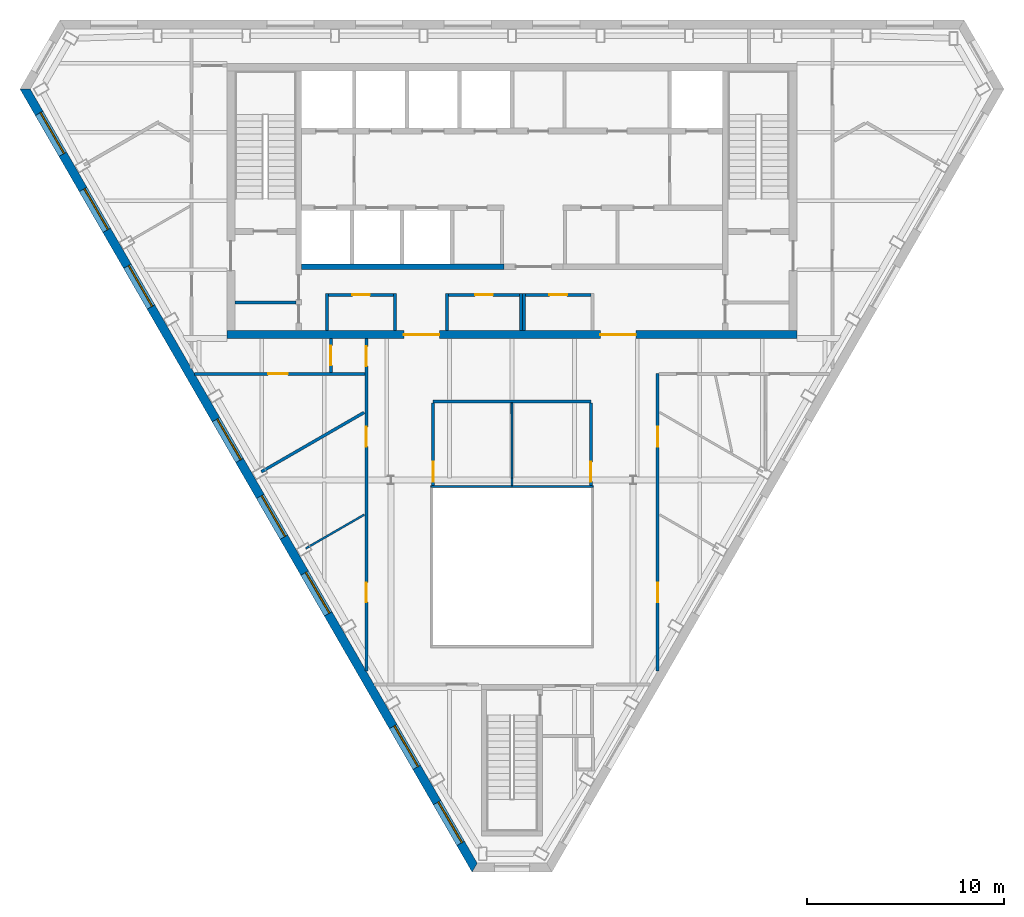
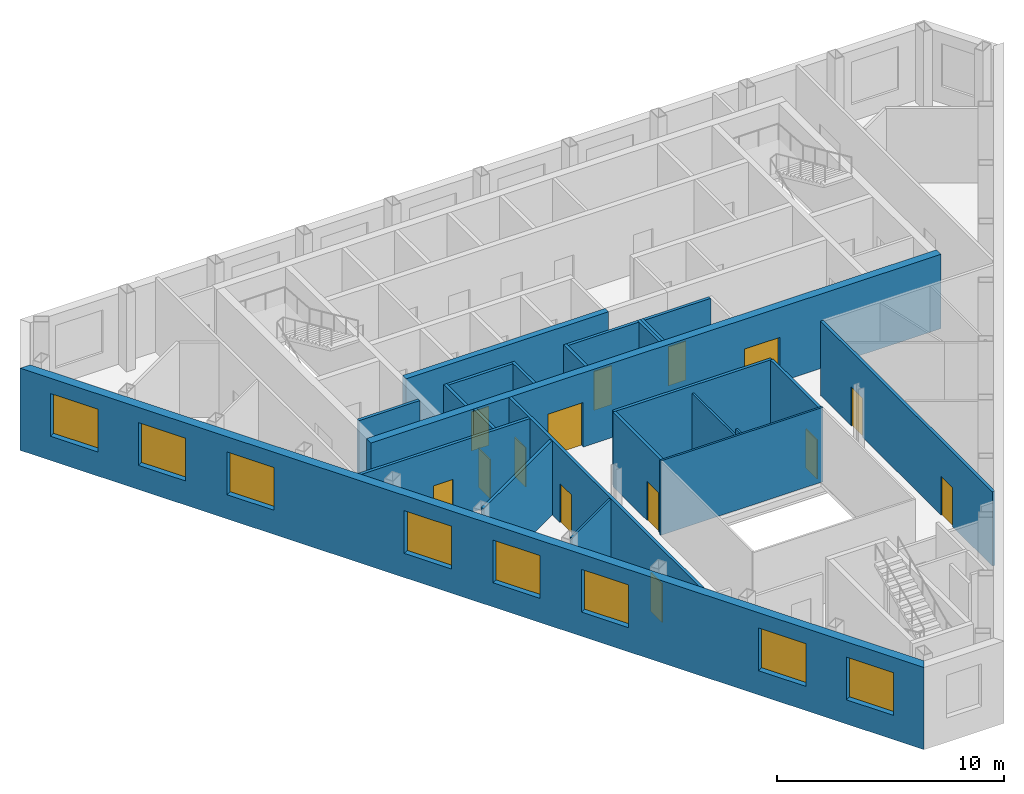
# One storey, part 4 of 10: 24 walls, 14 doors, 8 windows, 22 openings.
"""IFC4 building model written with IfcOpenShell, lengths in metres."""

from ifc_helpers import new_model, si_unit, direction, frame, frame_2d, origin, place, context, subcontext, project, spatial, polyline, rectangle, outline, extrude, material, layer, layer_set, type_object, element, fill, save


model = new_model("IFC4")

# Units and contexts
model_context = context("Model", 3, precision=1e-05, world=origin(), true_north=direction((0.0, 1.0)))
body_context = subcontext(model_context, "Body", "Model", "MODEL_VIEW")
ifc_project = project(units=[si_unit("LENGTHUNIT", "METRE"), si_unit("AREAUNIT", "SQUARE_METRE"), si_unit("VOLUMEUNIT", "CUBIC_METRE"), si_unit("PLANEANGLEUNIT", "RADIAN"), si_unit("MASSUNIT", "GRAM", prefix="KILO")], contexts=[model_context])

# Site, building, storey
site_placement = place(None, origin())
site = spatial("IfcSite", under=ifc_project, at=site_placement, CompositionType="ELEMENT")
building_placement = place(site_placement, origin())
building = spatial("IfcBuilding", under=site, at=building_placement, Name="Njiva Tower", CompositionType="ELEMENT")
storey_placement = place(building_placement, frame((0.0, 0.0, 333.6)))
storey = spatial("IfcBuildingStorey", under=building, at=storey_placement, Name="L76", CompositionType="ELEMENT", Elevation=333.6)

# Walls
ifc_material_1 = material(Name="Blockwork", Category="masonry")
ifc_layer_1 = layer(ifc_material_1, 0.15)
ifc_layer_set_1 = layer_set([ifc_layer_1], Name="Blockwork")
wall_type_1 = type_object("IfcWallType", Name="WT1 Compartment partition 150", PredefinedType="PARTITIONING", material=ifc_layer_set_1)
wall_1_placement = place(storey_placement, frame((-14.1, 5.825, 0.0), z_axis=(0.0, 0.0, 1.0), x_axis=(1.0, 0.0, 0.0)))
element("IfcWall", 1, at=wall_1_placement, inside=storey, type_object=wall_type_1, Name="Room wall A", PredefinedType="PARTITIONING", context=body_context, shape_type="SweptSolid", body=[
    extrude(rectangle(XDim=3.1, YDim=0.15, at=frame_2d((1.55, 0.0))), origin(), (0.0, 0.0, 1.0), 4.0),
])
for number, where, z_axis, x_axis, name in (
    (2, (-9.4, 4.4, 0.0), (0.0, 0.0, 1.0), (0.0, 1.0, 0.0), "Concierge office wall west"),
    (3, (-5.95, 4.4, 0.0), (0.0, 0.0, 1.0), (0.0, 1.0, 0.0), "Concierge office wall east"),
):
    element("IfcWall", number, at=place(storey_placement, frame(where, z_axis=z_axis, x_axis=x_axis)), inside=storey, type_object=wall_type_1, Name=name, PredefinedType="PARTITIONING", context=body_context, shape_type="SweptSolid", body=[
        extrude(rectangle(XDim=1.895, YDim=0.15, at=frame_2d((0.9475, 0.0))), origin(), (0.0, 0.0, 1.0), 4.0),
    ])

# Wall, opening, door
wall_2_placement = place(storey_placement, frame((-9.325, 6.22, 0.0), z_axis=(0.0, 0.0, 1.0), x_axis=(1.0, 0.0, 0.0)))
wall_2 = element("IfcWall", 4, at=wall_2_placement, inside=storey, type_object=wall_type_1, Name="Concierge office wall north", PredefinedType="PARTITIONING", context=body_context, shape_type="SweptSolid", body=[
    extrude(rectangle(XDim=3.3, YDim=0.15, at=frame_2d((1.65, 0.0))), origin(), (0.0, 0.0, 1.0), 4.0),
])
opening_1_placement = place(wall_2_placement, frame((1.2, 0.0, 0.0)))
opening_1 = element("IfcOpeningElement", 5, at=opening_1_placement, cuts=wall_2, Name="Opening S26-D924", PredefinedType="OPENING", context=body_context, shape_type="SweptSolid", body=[
    extrude(rectangle(XDim=0.9, YDim=2.1, at=frame_2d((0.45, 1.05))), frame((0.0, 0.085, 0.0), z_axis=(0.0, -1.0, 0.0), x_axis=(1.0, 0.0, 0.0)), (0.0, 0.0, 1.0), 0.17),
])
ifc_material_2 = material(Name="Steel fire door, painted", Category="steel")
door_type_1 = type_object("IfcDoorType", Name="D6 Fire-rated door 900x2100", OperationType="SINGLE_SWING_LEFT", PredefinedType="DOOR", material=ifc_material_2)
door_1_placement = place(opening_1_placement, origin())
door_1 = element("IfcDoor", 6, at=door_1_placement, inside=storey, type_object=door_type_1, Name="Concierge office door", OperationType="SINGLE_SWING_RIGHT", OverallHeight=2.1, OverallWidth=0.9, PredefinedType="DOOR", context=body_context, shape_type="SweptSolid", body=[
    extrude(rectangle(XDim=0.9, YDim=2.1, at=frame_2d((0.45, 1.05))), frame((0.0, 0.025, 0.0), z_axis=(0.0, -1.0, 0.0), x_axis=(1.0, 0.0, 0.0)), (0.0, 0.0, 1.0), 0.05),
])
fill(opening_1, door_1)

# Walls
for number, where, z_axis, x_axis, name in (
    (7, (-3.3, 4.4, 0.0), (0.0, 0.0, 1.0), (0.0, 1.0, 0.0), "Post room wall west"),
    (8, (0.45, 4.4, 0.0), (0.0, 0.0, 1.0), (0.0, 1.0, 0.0), "Post room wall east"),
):
    element("IfcWall", number, at=place(storey_placement, frame(where, z_axis=z_axis, x_axis=x_axis)), inside=storey, type_object=wall_type_1, Name=name, PredefinedType="PARTITIONING", context=body_context, shape_type="SweptSolid", body=[
        extrude(rectangle(XDim=1.895, YDim=0.15, at=frame_2d((0.9475, 0.0))), origin(), (0.0, 0.0, 1.0), 4.0),
    ])

# Wall, opening, door
wall_3_placement = place(storey_placement, frame((-3.225, 6.22, 0.0), z_axis=(0.0, 0.0, 1.0), x_axis=(1.0, 0.0, 0.0)))
wall_3 = element("IfcWall", 9, at=wall_3_placement, inside=storey, type_object=wall_type_1, Name="Post room wall north", PredefinedType="PARTITIONING", context=body_context, shape_type="SweptSolid", body=[
    extrude(rectangle(XDim=3.6, YDim=0.15, at=frame_2d((1.8, 0.0))), origin(), (0.0, 0.0, 1.0), 4.0),
])
opening_2_placement = place(wall_3_placement, frame((1.35, 0.0, 0.0)))
opening_2 = element("IfcOpeningElement", 10, at=opening_2_placement, cuts=wall_3, Name="Opening S26-D925", PredefinedType="OPENING", context=body_context, shape_type="SweptSolid", body=[
    extrude(rectangle(XDim=0.9, YDim=2.1, at=frame_2d((0.45, 1.05))), frame((0.0, 0.085, 0.0), z_axis=(0.0, -1.0, 0.0), x_axis=(1.0, 0.0, 0.0)), (0.0, 0.0, 1.0), 0.17),
])
door_2_placement = place(opening_2_placement, origin())
door_2 = element("IfcDoor", 11, at=door_2_placement, inside=storey, type_object=door_type_1, Name="Post room door", OperationType="SINGLE_SWING_LEFT", OverallHeight=2.1, OverallWidth=0.9, PredefinedType="DOOR", context=body_context, shape_type="SweptSolid", body=[
    extrude(rectangle(XDim=0.9, YDim=2.1, at=frame_2d((0.45, 1.05))), frame((0.0, 0.025, 0.0), z_axis=(0.0, -1.0, 0.0), x_axis=(1.0, 0.0, 0.0)), (0.0, 0.0, 1.0), 0.05),
])
fill(opening_2, door_2)

# Wall
wall_4_placement = place(storey_placement, frame((0.6, 4.4, 0.0), z_axis=(0.0, 0.0, 1.0), x_axis=(0.0, 1.0, 0.0)))
element("IfcWall", 12, at=wall_4_placement, inside=storey, type_object=wall_type_1, Name="Information office wall west", PredefinedType="PARTITIONING", context=body_context, shape_type="SweptSolid", body=[
    extrude(rectangle(XDim=1.895, YDim=0.15, at=frame_2d((0.9475, 0.0))), origin(), (0.0, 0.0, 1.0), 4.0),
])

# Wall, opening, door
wall_5_placement = place(storey_placement, frame((0.675, 6.22, 0.0), z_axis=(0.0, 0.0, 1.0), x_axis=(1.0, 0.0, 0.0)))
wall_5 = element("IfcWall", 13, at=wall_5_placement, inside=storey, type_object=wall_type_1, Name="Information office wall north", PredefinedType="PARTITIONING", context=body_context, shape_type="SweptSolid", body=[
    extrude(rectangle(XDim=3.35, YDim=0.15, at=frame_2d((1.675, 0.0))), origin(), (0.0, 0.0, 1.0), 4.0),
])
opening_3_placement = place(wall_5_placement, frame((1.225, 0.0, 0.0)))
opening_3 = element("IfcOpeningElement", 14, at=opening_3_placement, cuts=wall_5, Name="Opening S26-D926", PredefinedType="OPENING", context=body_context, shape_type="SweptSolid", body=[
    extrude(rectangle(XDim=0.9, YDim=2.1, at=frame_2d((0.45, 1.05))), frame((0.0, 0.085, 0.0), z_axis=(0.0, -1.0, 0.0), x_axis=(1.0, 0.0, 0.0)), (0.0, 0.0, 1.0), 0.17),
])
door_3_placement = place(opening_3_placement, origin())
door_3 = element("IfcDoor", 15, at=door_3_placement, inside=storey, type_object=door_type_1, Name="Information office door", OperationType="SINGLE_SWING_LEFT", OverallHeight=2.1, OverallWidth=0.9, PredefinedType="DOOR", context=body_context, shape_type="SweptSolid", body=[
    extrude(rectangle(XDim=0.9, YDim=2.1, at=frame_2d((0.45, 1.05))), frame((0.0, 0.025, 0.0), z_axis=(0.0, -1.0, 0.0), x_axis=(1.0, 0.0, 0.0)), (0.0, 0.0, 1.0), 0.05),
])
fill(opening_3, door_3)

# Wall, openings, doors
ifc_material_3 = material(Name="Concrete C60/75", Category="concrete")
ifc_layer_2 = layer(ifc_material_3, 0.4)
ifc_layer_set_2 = layer_set([ifc_layer_2], Name="Concrete C60/75")
wall_type_2 = type_object("IfcWallType", Name="WT11 Core wall 400", PredefinedType="SHEAR", material=ifc_layer_set_2)
wall_6_placement = place(storey_placement, frame((-14.5, 4.2, 0.0), z_axis=(0.0, 0.0, 1.0), x_axis=(1.0, 0.0, 0.0)))
wall_6 = element("IfcWall", 16, at=wall_6_placement, inside=storey, type_object=wall_type_2, Name="Core wall south", PredefinedType="SHEAR", context=body_context, shape_type="SweptSolid", body=[
    extrude(rectangle(XDim=29.0, YDim=0.4, at=frame_2d((14.5, 0.0))), origin(), (0.0, 0.0, 1.0), 4.0),
])
opening_4_placement = place(wall_6_placement, frame((9.0, 0.0, 0.0)))
opening_4 = element("IfcOpeningElement", 17, at=opening_4_placement, cuts=wall_6, Name="Opening S26-D928", PredefinedType="OPENING", context=body_context, shape_type="SweptSolid", body=[
    extrude(rectangle(XDim=1.8, YDim=2.4, at=frame_2d((0.9, 1.2))), frame((0.0, 0.21, 0.0), z_axis=(0.0, -1.0, 0.0), x_axis=(1.0, 0.0, 0.0)), (0.0, 0.0, 1.0), 0.42),
])
opening_5_placement = place(wall_6_placement, frame((19.0, 0.0, 0.0)))
opening_5 = element("IfcOpeningElement", 18, at=opening_5_placement, cuts=wall_6, Name="Opening S26-D929", PredefinedType="OPENING", context=body_context, shape_type="SweptSolid", body=[
    extrude(rectangle(XDim=1.8, YDim=2.4, at=frame_2d((0.9, 1.2))), frame((0.0, 0.21, 0.0), z_axis=(0.0, -1.0, 0.0), x_axis=(1.0, 0.0, 0.0)), (0.0, 0.0, 1.0), 0.42),
])
ifc_material_4 = material(Name="Steel and glass door", Category="steel")
door_type_2 = type_object("IfcDoorType", Name="D3 Core entrance door 1800x2400", OperationType="DOUBLE_DOOR_SINGLE_SWING", PredefinedType="DOOR", material=ifc_material_4)
door_4_placement = place(opening_4_placement, origin())
door_4 = element("IfcDoor", 19, at=door_4_placement, inside=storey, type_object=door_type_2, Name="Core entrance door", OperationType="DOUBLE_DOOR_SINGLE_SWING", OverallHeight=2.4, OverallWidth=1.8, PredefinedType="DOOR", context=body_context, shape_type="SweptSolid", body=[
    extrude(rectangle(XDim=1.8, YDim=2.4, at=frame_2d((0.9, 1.2))), frame((0.0, 0.025, 0.0), z_axis=(0.0, -1.0, 0.0), x_axis=(1.0, 0.0, 0.0)), (0.0, 0.0, 1.0), 0.05),
])
fill(opening_4, door_4)
door_5_placement = place(opening_5_placement, origin())
door_5 = element("IfcDoor", 20, at=door_5_placement, inside=storey, type_object=door_type_2, Name="Core entrance door", OperationType="DOUBLE_DOOR_SINGLE_SWING", OverallHeight=2.4, OverallWidth=1.8, PredefinedType="DOOR", context=body_context, shape_type="SweptSolid", body=[
    extrude(rectangle(XDim=1.8, YDim=2.4, at=frame_2d((0.9, 1.2))), frame((0.0, 0.025, 0.0), z_axis=(0.0, -1.0, 0.0), x_axis=(1.0, 0.0, 0.0)), (0.0, 0.0, 1.0), 0.05),
])
fill(opening_5, door_5)

# Walls
ifc_material_5 = material(Name="Gypsum board on steel studs", Category="gypsum")
ifc_layer_3 = layer(ifc_material_5, 0.1)
ifc_layer_set_3 = layer_set([ifc_layer_3], Name="Gypsum board on steel studs")
wall_type_3 = type_object("IfcWallType", Name="WT20 Gypsum partition 100", PredefinedType="PARTITIONING", material=ifc_layer_set_3)
wall_7_placement = place(storey_placement, frame((-10.495, -6.683, 0.0), z_axis=(0.0, 0.0, 1.0), x_axis=(0.866074466908, 0.499915010547, 0.0)))
element("IfcWall", 21, at=wall_7_placement, inside=storey, type_object=wall_type_3, Name="Partition S26-P008", PredefinedType="PARTITIONING", context=body_context, shape_type="SweptSolid", body=[
    extrude(rectangle(XDim=3.4466, YDim=0.1, at=frame_2d((1.7233, 0.0))), origin(), (0.0, 0.0, 1.0), 4.0),
])
wall_8_placement = place(storey_placement, frame((-0.001, 0.725, 0.0), z_axis=(0.0, 0.0, 1.0), x_axis=(0.000235294111, -0.999999972318, 0.0)))
element("IfcWall", 22, at=wall_8_placement, inside=storey, type_object=wall_type_3, Name="Partition S26-P014", PredefinedType="PARTITIONING", context=body_context, shape_type="SweptSolid", body=[
    extrude(rectangle(XDim=3.825, YDim=0.1, at=frame_2d((1.9125, 0.0))), origin(), (0.0, 0.0, 1.0), 3.6),
])
wall_9_placement = place(storey_placement, frame((-0.0001, -3.1, 0.0), z_axis=(0.0, 0.0, 1.0), x_axis=(0.000263157886, -0.999999965374, 0.0)))
element("IfcWall", 23, at=wall_9_placement, inside=storey, type_object=wall_type_3, Name="Partition S26-P014A", PredefinedType="PARTITIONING", context=body_context, shape_type="SweptSolid", body=[
    extrude(rectangle(XDim=0.38, YDim=0.1, at=frame_2d((0.19, 0.0))), origin(), (0.0, 0.0, 1.0), 4.0),
])

# Wall, opening, door
ifc_layer_4 = layer(ifc_material_5, 0.15)
ifc_layer_set_4 = layer_set([ifc_layer_4], Name="Gypsum board on steel studs")
wall_type_4 = type_object("IfcWallType", Name="WT21 Compartment wall 150", PredefinedType="PARTITIONING", material=ifc_layer_set_4)
wall_10_placement = place(storey_placement, frame((-16.143, 2.2, 0.0), z_axis=(0.0, 0.0, 1.0), x_axis=(1.0, 0.0, 0.0)))
wall_10 = element("IfcWall", 24, at=wall_10_placement, inside=storey, type_object=wall_type_4, Name="Partition S26-P006", PredefinedType="PARTITIONING", context=body_context, shape_type="SweptSolid", body=[
    extrude(rectangle(XDim=8.658, YDim=0.15, at=frame_2d((4.329, 0.0))), origin(), (0.0, 0.0, 1.0), 4.0),
])
opening_6_placement = place(wall_10_placement, frame((3.738, 0.0, 0.0)))
opening_6 = element("IfcOpeningElement", 25, at=opening_6_placement, cuts=wall_10, Name="Opening S26-D005", PredefinedType="OPENING", context=body_context, shape_type="SweptSolid", body=[
    extrude(rectangle(XDim=1.0, YDim=2.1, at=frame_2d((0.5, 1.05))), frame((0.0, 0.085, 0.0), z_axis=(0.0, -1.0, 0.0), x_axis=(1.0, 0.0, 0.0)), (0.0, 0.0, 1.0), 0.17),
])
ifc_material_6 = material(Name="Steel fire door set", Category="steel")
door_type_3 = type_object("IfcDoorType", Name="D37 Fire door 1000x2100", OperationType="SINGLE_SWING_LEFT", PredefinedType="DOOR", material=ifc_material_6)
door_6_placement = place(opening_6_placement, origin())
door_6 = element("IfcDoor", 26, at=door_6_placement, inside=storey, type_object=door_type_3, Name="Door S26-D005", OperationType="SINGLE_SWING_LEFT", OverallHeight=2.1, OverallWidth=1.0, PredefinedType="DOOR", context=body_context, shape_type="SweptSolid", body=[
    extrude(rectangle(XDim=1.0, YDim=2.1, at=frame_2d((0.5, 1.05))), frame((0.0, 0.025, 0.0), z_axis=(0.0, -1.0, 0.0), x_axis=(1.0, 0.0, 0.0)), (0.0, 0.0, 1.0), 0.05),
])
fill(opening_6, door_6)

# Wall
wall_11_placement = place(storey_placement, frame((-12.748, -2.78, 0.0), z_axis=(0.0, 0.0, 1.0), x_axis=(0.86604208752, 0.499971101808, 0.0)))
element("IfcWall", 27, at=wall_11_placement, inside=storey, type_object=wall_type_4, Name="Partition S26-P007", PredefinedType="PARTITIONING", context=body_context, shape_type="SweptSolid", body=[
    extrude(rectangle(XDim=6.0343, YDim=0.15, at=frame_2d((3.0172, 0.0))), origin(), (0.0, 0.0, 1.0), 4.0),
])

# Wall, opening, door
wall_12_placement = place(storey_placement, frame((-9.21, 2.275, 0.0), z_axis=(0.0, 0.0, 1.0), x_axis=(0.0, 1.0, 0.0)))
wall_12 = element("IfcWall", 28, at=wall_12_placement, inside=storey, type_object=wall_type_4, Name="Partition S26-P009", PredefinedType="PARTITIONING", context=body_context, shape_type="SweptSolid", body=[
    extrude(rectangle(XDim=1.725, YDim=0.15, at=frame_2d((0.8625, 0.0))), origin(), (0.0, 0.0, 1.0), 4.0),
])
opening_7_placement = place(wall_12_placement, frame((0.362, 0.0, 0.0)))
opening_7 = element("IfcOpeningElement", 29, at=opening_7_placement, cuts=wall_12, Name="Opening S26-D006", PredefinedType="OPENING", context=body_context, shape_type="SweptSolid", body=[
    extrude(rectangle(XDim=1.0, YDim=2.1, at=frame_2d((0.5, 1.05))), frame((0.0, 0.085, 0.0), z_axis=(0.0, -1.0, 0.0), x_axis=(1.0, 0.0, 0.0)), (0.0, 0.0, 1.0), 0.17),
])
door_7_placement = place(opening_7_placement, origin())
door_7 = element("IfcDoor", 30, at=door_7_placement, inside=storey, type_object=door_type_3, Name="Door S26-D006", OperationType="SINGLE_SWING_RIGHT", OverallHeight=2.1, OverallWidth=1.0, PredefinedType="DOOR", context=body_context, shape_type="SweptSolid", body=[
    extrude(rectangle(XDim=1.0, YDim=2.1, at=frame_2d((0.5, 1.05))), frame((0.0, 0.025, 0.0), z_axis=(0.0, -1.0, 0.0), x_axis=(1.0, 0.0, 0.0)), (0.0, 0.0, 1.0), 0.05),
])
fill(opening_7, door_7)

# Wall, openings, doors
wall_13_placement = place(storey_placement, frame((-7.41, -12.926, 0.0), z_axis=(0.0, 0.0, 1.0), x_axis=(0.0, 1.0, 0.0)))
wall_13 = element("IfcWall", 31, at=wall_13_placement, inside=storey, type_object=wall_type_4, Name="Partition S26-P010", PredefinedType="PARTITIONING", context=body_context, shape_type="SweptSolid", body=[
    extrude(rectangle(XDim=16.926, YDim=0.15, at=frame_2d((8.463, 0.0))), origin(), (0.0, 0.0, 1.0), 4.0),
])
opening_8_placement = place(wall_13_placement, frame((3.512, 0.0, 0.0)))
opening_8 = element("IfcOpeningElement", 32, at=opening_8_placement, cuts=wall_13, Name="Opening S26-D007", PredefinedType="OPENING", context=body_context, shape_type="SweptSolid", body=[
    extrude(rectangle(XDim=1.0, YDim=2.1, at=frame_2d((0.5, 1.05))), frame((0.0, 0.085, 0.0), z_axis=(0.0, -1.0, 0.0), x_axis=(1.0, 0.0, 0.0)), (0.0, 0.0, 1.0), 0.17),
])
opening_9_placement = place(wall_13_placement, frame((11.427, 0.0, 0.0)))
opening_9 = element("IfcOpeningElement", 33, at=opening_9_placement, cuts=wall_13, Name="Opening S26-D008", PredefinedType="OPENING", context=body_context, shape_type="SweptSolid", body=[
    extrude(rectangle(XDim=1.0, YDim=2.1, at=frame_2d((0.5, 1.05))), frame((0.0, 0.085, 0.0), z_axis=(0.0, -1.0, 0.0), x_axis=(1.0, 0.0, 0.0)), (0.0, 0.0, 1.0), 0.17),
])
opening_10_placement = place(wall_13_placement, frame((15.526, 0.0, 0.0)))
opening_10 = element("IfcOpeningElement", 34, at=opening_10_placement, cuts=wall_13, Name="Opening S26-D009", PredefinedType="OPENING", context=body_context, shape_type="SweptSolid", body=[
    extrude(rectangle(XDim=1.0, YDim=2.1, at=frame_2d((0.5, 1.05))), frame((0.0, 0.085, 0.0), z_axis=(0.0, -1.0, 0.0), x_axis=(1.0, 0.0, 0.0)), (0.0, 0.0, 1.0), 0.17),
])
door_8_placement = place(opening_8_placement, origin())
door_8 = element("IfcDoor", 35, at=door_8_placement, inside=storey, type_object=door_type_3, Name="Door S26-D007", OperationType="SINGLE_SWING_RIGHT", OverallHeight=2.1, OverallWidth=1.0, PredefinedType="DOOR", context=body_context, shape_type="SweptSolid", body=[
    extrude(rectangle(XDim=1.0, YDim=2.1, at=frame_2d((0.5, 1.05))), frame((0.0, 0.025, 0.0), z_axis=(0.0, -1.0, 0.0), x_axis=(1.0, 0.0, 0.0)), (0.0, 0.0, 1.0), 0.05),
])
fill(opening_8, door_8)
door_9_placement = place(opening_9_placement, origin())
door_9 = element("IfcDoor", 36, at=door_9_placement, inside=storey, type_object=door_type_3, Name="Door S26-D008", OperationType="SINGLE_SWING_LEFT", OverallHeight=2.1, OverallWidth=1.0, PredefinedType="DOOR", context=body_context, shape_type="SweptSolid", body=[
    extrude(rectangle(XDim=1.0, YDim=2.1, at=frame_2d((0.5, 1.05))), frame((0.0, 0.025, 0.0), z_axis=(0.0, -1.0, 0.0), x_axis=(1.0, 0.0, 0.0)), (0.0, 0.0, 1.0), 0.05),
])
fill(opening_9, door_9)
door_10_placement = place(opening_10_placement, origin())
door_10 = element("IfcDoor", 37, at=door_10_placement, inside=storey, type_object=door_type_3, Name="Door S26-D009", OperationType="SINGLE_SWING_LEFT", OverallHeight=2.1, OverallWidth=1.0, PredefinedType="DOOR", context=body_context, shape_type="SweptSolid", body=[
    extrude(rectangle(XDim=1.0, YDim=2.1, at=frame_2d((0.5, 1.05))), frame((0.0, 0.025, 0.0), z_axis=(0.0, -1.0, 0.0), x_axis=(1.0, 0.0, 0.0)), (0.0, 0.0, 1.0), 0.05),
])
fill(opening_10, door_10)

# Wall
wall_14_placement = place(storey_placement, frame((-4.022, 0.8, 0.0), z_axis=(0.0, 0.0, 1.0), x_axis=(1.0, 0.0, 0.0)))
element("IfcWall", 38, at=wall_14_placement, inside=storey, type_object=wall_type_4, Name="Partition S26-P012", PredefinedType="PARTITIONING", context=body_context, shape_type="SweptSolid", body=[
    extrude(rectangle(XDim=8.043, YDim=0.15, at=frame_2d((4.0215, 0.0))), origin(), (0.0, 0.0, 1.0), 4.0),
])

# Wall, opening, door
wall_15_placement = place(storey_placement, frame((-4.01, 0.725, 0.0), z_axis=(0.0, 0.0, 1.0), x_axis=(0.000237812122, -0.999999971723, 0.0)))
wall_15 = element("IfcWall", 39, at=wall_15_placement, inside=storey, type_object=wall_type_4, Name="Partition S26-P013", PredefinedType="PARTITIONING", context=body_context, shape_type="SweptSolid", body=[
    extrude(rectangle(XDim=4.205, YDim=0.15, at=frame_2d((2.1025, 0.0))), origin(), (0.0, 0.0, 1.0), 4.0),
])
opening_11_placement = place(wall_15_placement, frame((3.005, 0.0, 0.0)))
opening_11 = element("IfcOpeningElement", 40, at=opening_11_placement, cuts=wall_15, Name="Opening S26-D011", PredefinedType="OPENING", context=body_context, shape_type="SweptSolid", body=[
    extrude(rectangle(XDim=1.0, YDim=2.1, at=frame_2d((0.5, 1.05))), frame((0.0, 0.085, 0.0), z_axis=(0.0, -1.0, 0.0), x_axis=(1.0, 0.0, 0.0)), (0.0, 0.0, 1.0), 0.17),
])
door_11_placement = place(opening_11_placement, origin())
door_11 = element("IfcDoor", 41, at=door_11_placement, inside=storey, type_object=door_type_3, Name="Door S26-D011", OperationType="SINGLE_SWING_LEFT", OverallHeight=2.1, OverallWidth=1.0, PredefinedType="DOOR", context=body_context, shape_type="SweptSolid", body=[
    extrude(rectangle(XDim=1.0, YDim=2.1, at=frame_2d((0.5, 1.05))), frame((0.0, 0.025, 0.0), z_axis=(0.0, -1.0, 0.0), x_axis=(1.0, 0.0, 0.0)), (0.0, 0.0, 1.0), 0.05),
])
fill(opening_11, door_11)

wall_16_placement = place(storey_placement, frame((4.009, 0.725, 0.0), z_axis=(0.0, 0.0, 1.0), x_axis=(0.000237812122, -0.999999971723, 0.0)))
wall_16 = element("IfcWall", 42, at=wall_16_placement, inside=storey, type_object=wall_type_4, Name="Partition S26-P015", PredefinedType="PARTITIONING", context=body_context, shape_type="SweptSolid", body=[
    extrude(rectangle(XDim=4.205, YDim=0.15, at=frame_2d((2.1025, 0.0))), origin(), (0.0, 0.0, 1.0), 4.0),
])
opening_12_placement = place(wall_16_placement, frame((3.005, 0.0, 0.0)))
opening_12 = element("IfcOpeningElement", 43, at=opening_12_placement, cuts=wall_16, Name="Opening S26-D012", PredefinedType="OPENING", context=body_context, shape_type="SweptSolid", body=[
    extrude(rectangle(XDim=1.0, YDim=2.1, at=frame_2d((0.5, 1.05))), frame((0.0, 0.085, 0.0), z_axis=(0.0, -1.0, 0.0), x_axis=(1.0, 0.0, 0.0)), (0.0, 0.0, 1.0), 0.17),
])
door_12_placement = place(opening_12_placement, origin())
door_12 = element("IfcDoor", 44, at=door_12_placement, inside=storey, type_object=door_type_3, Name="Door S26-D012", OperationType="SINGLE_SWING_RIGHT", OverallHeight=2.1, OverallWidth=1.0, PredefinedType="DOOR", context=body_context, shape_type="SweptSolid", body=[
    extrude(rectangle(XDim=1.0, YDim=2.1, at=frame_2d((0.5, 1.05))), frame((0.0, 0.025, 0.0), z_axis=(0.0, -1.0, 0.0), x_axis=(1.0, 0.0, 0.0)), (0.0, 0.0, 1.0), 0.05),
])
fill(opening_12, door_12)

# Wall, openings, doors
wall_17_placement = place(storey_placement, frame((7.41, -12.926, 0.0), z_axis=(0.0, 0.0, 1.0), x_axis=(0.0, 1.0, 0.0)))
wall_17 = element("IfcWall", 45, at=wall_17_placement, inside=storey, type_object=wall_type_4, Name="Partition S26-P017", PredefinedType="PARTITIONING", context=body_context, shape_type="SweptSolid", body=[
    extrude(rectangle(XDim=15.138, YDim=0.15, at=frame_2d((7.569, 0.0))), origin(), (0.0, 0.0, 1.0), 4.0),
])
opening_13_placement = place(wall_17_placement, frame((3.512, 0.0, 0.0)))
opening_13 = element("IfcOpeningElement", 46, at=opening_13_placement, cuts=wall_17, Name="Opening S26-D013", PredefinedType="OPENING", context=body_context, shape_type="SweptSolid", body=[
    extrude(rectangle(XDim=1.0, YDim=2.1, at=frame_2d((0.5, 1.05))), frame((0.0, 0.085, 0.0), z_axis=(0.0, -1.0, 0.0), x_axis=(1.0, 0.0, 0.0)), (0.0, 0.0, 1.0), 0.17),
])
opening_14_placement = place(wall_17_placement, frame((11.427, 0.0, 0.0)))
opening_14 = element("IfcOpeningElement", 47, at=opening_14_placement, cuts=wall_17, Name="Opening S26-D014", PredefinedType="OPENING", context=body_context, shape_type="SweptSolid", body=[
    extrude(rectangle(XDim=1.0, YDim=2.1, at=frame_2d((0.5, 1.05))), frame((0.0, 0.085, 0.0), z_axis=(0.0, -1.0, 0.0), x_axis=(1.0, 0.0, 0.0)), (0.0, 0.0, 1.0), 0.17),
])
door_13_placement = place(opening_13_placement, origin())
door_13 = element("IfcDoor", 48, at=door_13_placement, inside=storey, type_object=door_type_3, Name="Door S26-D013", OperationType="SINGLE_SWING_LEFT", OverallHeight=2.1, OverallWidth=1.0, PredefinedType="DOOR", context=body_context, shape_type="SweptSolid", body=[
    extrude(rectangle(XDim=1.0, YDim=2.1, at=frame_2d((0.5, 1.05))), frame((0.0, 0.025, 0.0), z_axis=(0.0, -1.0, 0.0), x_axis=(1.0, 0.0, 0.0)), (0.0, 0.0, 1.0), 0.05),
])
fill(opening_13, door_13)
door_14_placement = place(opening_14_placement, origin())
door_14 = element("IfcDoor", 49, at=door_14_placement, inside=storey, type_object=door_type_3, Name="Door S26-D014", OperationType="SINGLE_SWING_RIGHT", OverallHeight=2.1, OverallWidth=1.0, PredefinedType="DOOR", context=body_context, shape_type="SweptSolid", body=[
    extrude(rectangle(XDim=1.0, YDim=2.1, at=frame_2d((0.5, 1.05))), frame((0.0, 0.025, 0.0), z_axis=(0.0, -1.0, 0.0), x_axis=(1.0, 0.0, 0.0)), (0.0, 0.0, 1.0), 0.05),
])
fill(opening_14, door_14)

# Wall
ifc_material_7 = material(Name="Concrete C40/50", Category="concrete")
ifc_layer_5 = layer(ifc_material_7, 0.3)
ifc_layer_set_5 = layer_set([ifc_layer_5], Name="Concrete C40/50")
wall_type_5 = type_object("IfcWallType", Name="WT7 Lift shaft wall 300", PredefinedType="SHEAR", material=ifc_layer_set_5)
wall_18_placement = place(storey_placement, frame((-10.7, 7.65, 0.0), z_axis=(0.0, 0.0, 1.0), x_axis=(1.0, 0.0, 0.0)))
element("IfcWall", 50, at=wall_18_placement, inside=storey, type_object=wall_type_5, Name="Shaft wall south row back W", PredefinedType="SHEAR", context=body_context, shape_type="SweptSolid", body=[
    extrude(rectangle(XDim=10.3, YDim=0.3, at=frame_2d((5.15, 0.0))), origin(), (0.0, 0.0, 1.0), 4.0),
])

# Wall, openings, windows
ifc_material_8 = material(Name="Brick masonry", Category="masonry")
ifc_layer_6 = layer(ifc_material_8, 0.45)
ifc_layer_set_6 = layer_set([ifc_layer_6], Name="Brick masonry")
wall_type_6 = type_object("IfcWallType", Name="WT90 Brick pier and spandrel wall 450", PredefinedType="SOLIDWALL", material=ifc_layer_set_6)
wall_19_placement = place(storey_placement, frame((-24.7652, 16.6839, -0.4), z_axis=(0.0, 0.0, 1.0), x_axis=(0.500000141277, -0.866025322218, 0.0)))
wall_19 = element("IfcWall", 51, at=wall_19_placement, inside=storey, type_object=wall_type_6, Name="Facade wall SW", PredefinedType="SOLIDWALL", context=body_context, shape_type="SweptSolid", body=[
    extrude(outline(polyline([(-0.1299, -0.225), (45.8601, -0.225), (45.6003, 0.225), (0.1299, 0.225), (-0.1299, -0.225)])), origin(), (0.0, 0.0, 1.0), 4.42),
])
opening_15_placement = place(wall_19_placement, frame((1.4237, 0.0, 1.3)))
opening_15 = element("IfcOpeningElement", 52, at=opening_15_placement, cuts=wall_19, Name="Opening S26-W09", PredefinedType="OPENING", context=body_context, shape_type="SweptSolid", body=[
    extrude(rectangle(XDim=2.4, YDim=2.3, at=frame_2d((1.2, 1.15))), frame((0.0, 0.235, 0.0), z_axis=(0.0, -1.0, 0.0), x_axis=(1.0, 0.0, 0.0)), (0.0, 0.0, 1.0), 0.47),
])
opening_16_placement = place(wall_19_placement, frame((5.8919, 0.0, 1.3)))
opening_16 = element("IfcOpeningElement", 53, at=opening_16_placement, cuts=wall_19, Name="Opening S26-W10", PredefinedType="OPENING", context=body_context, shape_type="SweptSolid", body=[
    extrude(rectangle(XDim=2.4, YDim=2.3, at=frame_2d((1.2, 1.15))), frame((0.0, 0.235, 0.0), z_axis=(0.0, -1.0, 0.0), x_axis=(1.0, 0.0, 0.0)), (0.0, 0.0, 1.0), 0.47),
])
opening_17_placement = place(wall_19_placement, frame((10.3985, 0.0, 1.3)))
opening_17 = element("IfcOpeningElement", 54, at=opening_17_placement, cuts=wall_19, Name="Opening S26-W11", PredefinedType="OPENING", context=body_context, shape_type="SweptSolid", body=[
    extrude(rectangle(XDim=2.4, YDim=2.3, at=frame_2d((1.2, 1.15))), frame((0.0, 0.235, 0.0), z_axis=(0.0, -1.0, 0.0), x_axis=(1.0, 0.0, 0.0)), (0.0, 0.0, 1.0), 0.47),
])
opening_18_placement = place(wall_19_placement, frame((19.4118, 0.0, 1.3)))
opening_18 = element("IfcOpeningElement", 55, at=opening_18_placement, cuts=wall_19, Name="Opening S26-W12", PredefinedType="OPENING", context=body_context, shape_type="SweptSolid", body=[
    extrude(rectangle(XDim=2.4, YDim=2.3, at=frame_2d((1.2, 1.15))), frame((0.0, 0.235, 0.0), z_axis=(0.0, -1.0, 0.0), x_axis=(1.0, 0.0, 0.0)), (0.0, 0.0, 1.0), 0.47),
])
opening_19_placement = place(wall_19_placement, frame((23.9184, 0.0, 1.3)))
opening_19 = element("IfcOpeningElement", 56, at=opening_19_placement, cuts=wall_19, Name="Opening S26-W13", PredefinedType="OPENING", context=body_context, shape_type="SweptSolid", body=[
    extrude(rectangle(XDim=2.4, YDim=2.3, at=frame_2d((1.2, 1.15))), frame((0.0, 0.235, 0.0), z_axis=(0.0, -1.0, 0.0), x_axis=(1.0, 0.0, 0.0)), (0.0, 0.0, 1.0), 0.47),
])
opening_20_placement = place(wall_19_placement, frame((28.425, 0.0, 1.3)))
opening_20 = element("IfcOpeningElement", 57, at=opening_20_placement, cuts=wall_19, Name="Opening S26-W14", PredefinedType="OPENING", context=body_context, shape_type="SweptSolid", body=[
    extrude(rectangle(XDim=2.4, YDim=2.3, at=frame_2d((1.2, 1.15))), frame((0.0, 0.235, 0.0), z_axis=(0.0, -1.0, 0.0), x_axis=(1.0, 0.0, 0.0)), (0.0, 0.0, 1.0), 0.47),
])
opening_21_placement = place(wall_19_placement, frame((37.4383, 0.0, 1.3)))
opening_21 = element("IfcOpeningElement", 58, at=opening_21_placement, cuts=wall_19, Name="Opening S26-W15", PredefinedType="OPENING", context=body_context, shape_type="SweptSolid", body=[
    extrude(rectangle(XDim=2.4, YDim=2.3, at=frame_2d((1.2, 1.15))), frame((0.0, 0.235, 0.0), z_axis=(0.0, -1.0, 0.0), x_axis=(1.0, 0.0, 0.0)), (0.0, 0.0, 1.0), 0.47),
])
opening_22_placement = place(wall_19_placement, frame((41.9065, 0.0, 1.3)))
opening_22 = element("IfcOpeningElement", 59, at=opening_22_placement, cuts=wall_19, Name="Opening S26-W16", PredefinedType="OPENING", context=body_context, shape_type="SweptSolid", body=[
    extrude(rectangle(XDim=2.4, YDim=2.3, at=frame_2d((1.2, 1.15))), frame((0.0, 0.235, 0.0), z_axis=(0.0, -1.0, 0.0), x_axis=(1.0, 0.0, 0.0)), (0.0, 0.0, 1.0), 0.47),
])
ifc_material_9 = material(Name="Clear glazing in aluminium frame", Category="aluminium")
window_type = type_object("IfcWindowType", Name="W91 Deep-set window 2400x2300", PartitioningType="SINGLE_PANEL", PredefinedType="WINDOW", material=ifc_material_9)
window_1_placement = place(opening_15_placement, origin())
window_1 = element("IfcWindow", 60, at=window_1_placement, inside=storey, type_object=window_type, Name="Window", OverallHeight=2.3, OverallWidth=2.4, PartitioningType="SINGLE_PANEL", PredefinedType="WINDOW", context=body_context, shape_type="SweptSolid", body=[
    extrude(rectangle(XDim=2.4, YDim=2.3, at=frame_2d((1.2, 1.15))), frame((0.0, 0.105, 0.0), z_axis=(0.0, -1.0, 0.0), x_axis=(1.0, 0.0, 0.0)), (0.0, 0.0, 1.0), 0.06),
])
fill(opening_15, window_1)
window_2_placement = place(opening_16_placement, origin())
window_2 = element("IfcWindow", 61, at=window_2_placement, inside=storey, type_object=window_type, Name="Window", OverallHeight=2.3, OverallWidth=2.4, PartitioningType="SINGLE_PANEL", PredefinedType="WINDOW", context=body_context, shape_type="SweptSolid", body=[
    extrude(rectangle(XDim=2.4, YDim=2.3, at=frame_2d((1.2, 1.15))), frame((0.0, 0.105, 0.0), z_axis=(0.0, -1.0, 0.0), x_axis=(1.0, 0.0, 0.0)), (0.0, 0.0, 1.0), 0.06),
])
fill(opening_16, window_2)
window_3_placement = place(opening_17_placement, origin())
window_3 = element("IfcWindow", 62, at=window_3_placement, inside=storey, type_object=window_type, Name="Window", OverallHeight=2.3, OverallWidth=2.4, PartitioningType="SINGLE_PANEL", PredefinedType="WINDOW", context=body_context, shape_type="SweptSolid", body=[
    extrude(rectangle(XDim=2.4, YDim=2.3, at=frame_2d((1.2, 1.15))), frame((0.0, 0.105, 0.0), z_axis=(0.0, -1.0, 0.0), x_axis=(1.0, 0.0, 0.0)), (0.0, 0.0, 1.0), 0.06),
])
fill(opening_17, window_3)
window_4_placement = place(opening_18_placement, origin())
window_4 = element("IfcWindow", 63, at=window_4_placement, inside=storey, type_object=window_type, Name="Window", OverallHeight=2.3, OverallWidth=2.4, PartitioningType="SINGLE_PANEL", PredefinedType="WINDOW", context=body_context, shape_type="SweptSolid", body=[
    extrude(rectangle(XDim=2.4, YDim=2.3, at=frame_2d((1.2, 1.15))), frame((0.0, 0.105, 0.0), z_axis=(0.0, -1.0, 0.0), x_axis=(1.0, 0.0, 0.0)), (0.0, 0.0, 1.0), 0.06),
])
fill(opening_18, window_4)
window_5_placement = place(opening_19_placement, origin())
window_5 = element("IfcWindow", 64, at=window_5_placement, inside=storey, type_object=window_type, Name="Window", OverallHeight=2.3, OverallWidth=2.4, PartitioningType="SINGLE_PANEL", PredefinedType="WINDOW", context=body_context, shape_type="SweptSolid", body=[
    extrude(rectangle(XDim=2.4, YDim=2.3, at=frame_2d((1.2, 1.15))), frame((0.0, 0.105, 0.0), z_axis=(0.0, -1.0, 0.0), x_axis=(1.0, 0.0, 0.0)), (0.0, 0.0, 1.0), 0.06),
])
fill(opening_19, window_5)
window_6_placement = place(opening_20_placement, origin())
window_6 = element("IfcWindow", 65, at=window_6_placement, inside=storey, type_object=window_type, Name="Window", OverallHeight=2.3, OverallWidth=2.4, PartitioningType="SINGLE_PANEL", PredefinedType="WINDOW", context=body_context, shape_type="SweptSolid", body=[
    extrude(rectangle(XDim=2.4, YDim=2.3, at=frame_2d((1.2, 1.15))), frame((0.0, 0.105, 0.0), z_axis=(0.0, -1.0, 0.0), x_axis=(1.0, 0.0, 0.0)), (0.0, 0.0, 1.0), 0.06),
])
fill(opening_20, window_6)
window_7_placement = place(opening_21_placement, origin())
window_7 = element("IfcWindow", 66, at=window_7_placement, inside=storey, type_object=window_type, Name="Window", OverallHeight=2.3, OverallWidth=2.4, PartitioningType="SINGLE_PANEL", PredefinedType="WINDOW", context=body_context, shape_type="SweptSolid", body=[
    extrude(rectangle(XDim=2.4, YDim=2.3, at=frame_2d((1.2, 1.15))), frame((0.0, 0.105, 0.0), z_axis=(0.0, -1.0, 0.0), x_axis=(1.0, 0.0, 0.0)), (0.0, 0.0, 1.0), 0.06),
])
fill(opening_21, window_7)
window_8_placement = place(opening_22_placement, origin())
window_8 = element("IfcWindow", 67, at=window_8_placement, inside=storey, type_object=window_type, Name="Window", OverallHeight=2.3, OverallWidth=2.4, PartitioningType="SINGLE_PANEL", PredefinedType="WINDOW", context=body_context, shape_type="SweptSolid", body=[
    extrude(rectangle(XDim=2.4, YDim=2.3, at=frame_2d((1.2, 1.15))), frame((0.0, 0.105, 0.0), z_axis=(0.0, -1.0, 0.0), x_axis=(1.0, 0.0, 0.0)), (0.0, 0.0, 1.0), 0.06),
])
fill(opening_22, window_8)

# Wall
ifc_material_10 = material(Name="Fire-resisting glazing EI 90", Category="glass")
ifc_layer_7 = layer(ifc_material_10, 0.1)
ifc_layer_set_7 = layer_set([ifc_layer_7], Name="Fire-resisting glazing EI 90")
wall_type_7 = type_object("IfcWallType", Name="WT95 Fire-resisting glazed screen EI 90", PredefinedType="PARTITIONING", material=ifc_layer_set_7)
wall_20_placement = place(storey_placement, frame((4.13, -3.53, 0.0), z_axis=(0.0, 0.0, 1.0), x_axis=(-1.0, 0.0, 0.0)))
element("IfcWall", 68, at=wall_20_placement, inside=storey, type_object=wall_type_7, Name="Atrium fire screen north", PredefinedType="PARTITIONING", context=body_context, shape_type="SweptSolid", body=[
    extrude(rectangle(XDim=8.26, YDim=0.1, at=frame_2d((4.13, 0.0))), origin(), (0.0, 0.0, 1.0), 4.0),
])

save(model, "model.ifc")
